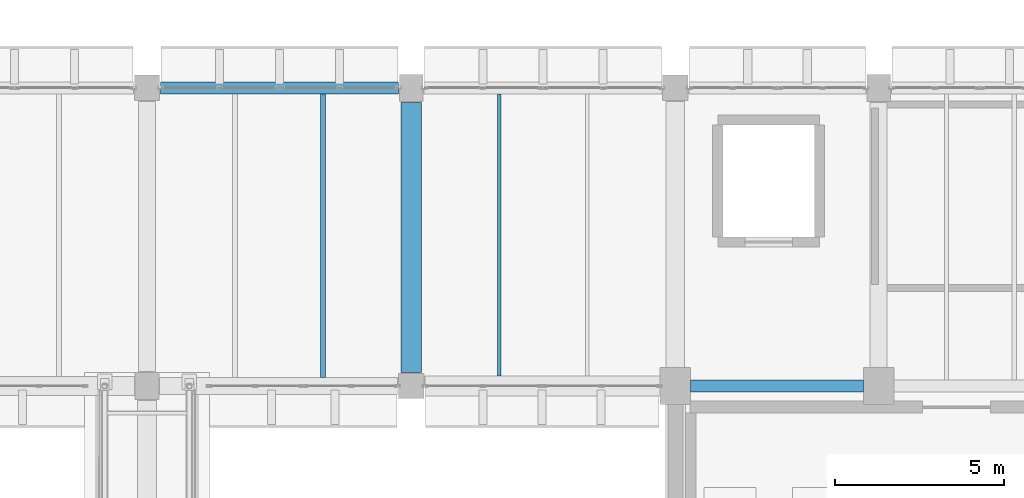
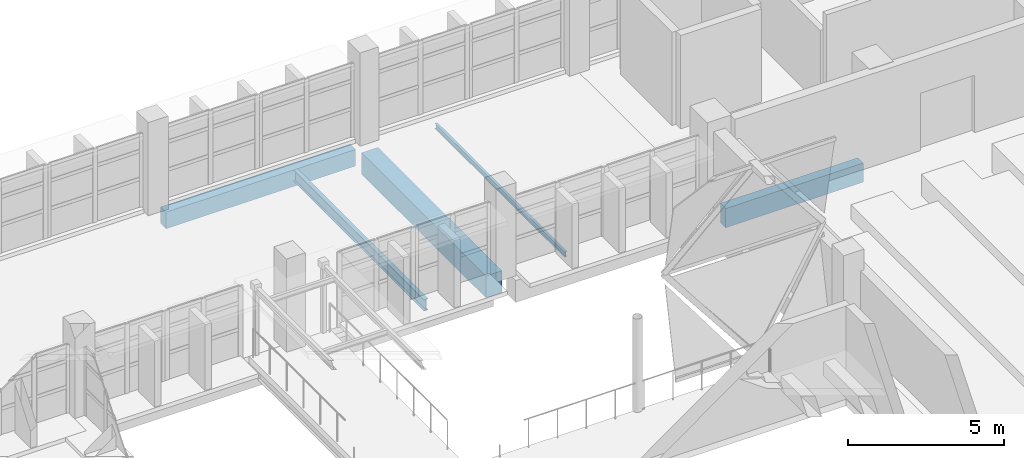
# One storey, part 31 of 80: 5 beams.
"""IFC4 building model written with IfcOpenShell, lengths in metres."""

from ifc_helpers import new_model, si_unit, direction, frame, origin, origin_2d, place, context, subcontext, project, spatial, rectangle, i_section, extrude, material, material_profile, profile_set, type_object, element, save


model = new_model("IFC4")

# Units and contexts
model_context = context("Model", 3, precision=1e-05, world=origin(), true_north=direction((0.0, 1.0)))
body_context = subcontext(model_context, "Body", "Model", "MODEL_VIEW")
ifc_project = project(units=[si_unit("LENGTHUNIT", "METRE"), si_unit("AREAUNIT", "SQUARE_METRE"), si_unit("VOLUMEUNIT", "CUBIC_METRE"), si_unit("PLANEANGLEUNIT", "RADIAN"), si_unit("MASSUNIT", "GRAM", prefix="KILO")], contexts=[model_context])

# Site, building, storey
site_placement = place(None, origin())
site = spatial("IfcSite", under=ifc_project, at=site_placement, CompositionType="ELEMENT")
building_placement = place(site_placement, origin())
building = spatial("IfcBuilding", under=site, at=building_placement, Name="Varnakota Cinema and Media Centre", CompositionType="ELEMENT")
storey_placement = place(building_placement, frame((0.0, 0.0, 4.5)))
storey = spatial("IfcBuildingStorey", under=building, at=storey_placement, Name="L01", CompositionType="ELEMENT", Elevation=4.5)

# Beams
ifc_material_1 = material(Name="Concrete M35", Category="concrete")
ifc_material_profile_1 = material_profile(ifc_material_1, rectangle(XDim=0.60009765625, YDim=0.85009765625, at=origin_2d()), Name="RCB 600x850")
ifc_profile_set_1 = profile_set([ifc_material_profile_1], Name="Concrete M35")
beam_type_1 = type_object("IfcBeamType", Name="BM-RC-600x850", PredefinedType="BEAM", material=ifc_profile_set_1)
beam_1_placement = place(storey_placement, frame((67.199951171875, 35.60009765625, -0.675048828125), z_axis=(0.0, 1.0, 0.0), x_axis=(-1.0, 0.0, 0.0)))
element("IfcBeam", 1, at=beam_1_placement, inside=storey, type_object=beam_type_1, Name="L01 girder J/5-6", PredefinedType="BEAM", context=body_context, shape_type="SweptSolid", body=[
    extrude(rectangle(XDim=0.60009765625, YDim=0.85009765625, at=origin_2d()), origin(), (0.0, 0.0, 1.0), 7.974853515625),
])
ifc_material_2 = material(Name="Concrete M40", Category="concrete")
ifc_material_profile_2 = material_profile(ifc_material_2, rectangle(XDim=0.35009765625, YDim=0.64990234375, at=origin_2d()), Name="RCB 350x650")
ifc_profile_set_2 = profile_set([ifc_material_profile_2], Name="Concrete M40")
beam_type_2 = type_object("IfcBeamType", Name="BM-SP-350x650", PredefinedType="SPANDREL", material=ifc_profile_set_2)
beam_2_placement = place(storey_placement, frame((59.800048828125, 44.0, -0.574951171875), z_axis=(1.0, 0.0, 0.0), x_axis=(0.0, 1.0, 0.0)))
element("IfcBeam", 2, at=beam_2_placement, inside=storey, type_object=beam_type_2, Name="L01 girder H-J/6", PredefinedType="SPANDREL", context=body_context, shape_type="SweptSolid", body=[
    extrude(rectangle(XDim=0.35009765625, YDim=0.64990234375, at=origin_2d()), origin(), (0.0, 0.0, 1.0), 7.02490234375),
])
ifc_material_3 = material(Name="Concrete M40", Category="concrete")
ifc_material_profile_3 = material_profile(ifc_material_3, rectangle(XDim=0.35009765625, YDim=0.75, at=origin_2d()), Name="RCB 350x750")
ifc_profile_set_3 = profile_set([ifc_material_profile_3], Name="Concrete M40")
beam_type_3 = type_object("IfcBeamType", Name="BM-SP-350x750", PredefinedType="SPANDREL", material=ifc_profile_set_3)
beam_3_placement = place(storey_placement, frame((75.449951171875, 35.199951171875, -0.625), z_axis=(1.0, 0.0, 0.0), x_axis=(0.0, 1.0, 0.0)))
element("IfcBeam", 3, at=beam_3_placement, inside=storey, type_object=beam_type_3, Name="L01 girder K-L/5", PredefinedType="SPANDREL", context=body_context, shape_type="SweptSolid", body=[
    extrude(rectangle(XDim=0.35009765625, YDim=0.75, at=origin_2d()), origin(), (0.0, 0.0, 1.0), 5.10009765625),
])
ifc_material_4 = material(Name="Structural steel Grade 350 (E350)", Category="steel")
ifc_material_profile_4 = material_profile(ifc_material_4, i_section(OverallWidth=0.10009765625, OverallDepth=0.199951171875, WebThickness=0.005615234375, FlangeThickness=0.0107421875, FilletRadius=0.010986328125, at=origin_2d()), Name="ISMB 200")
ifc_profile_set_4 = profile_set([ifc_material_profile_4], Name="Structural steel Grade 350 (E350)")
beam_type_4 = type_object("IfcBeamType", Name="BM-ST-ISMB200", PredefinedType="JOIST", material=ifc_profile_set_4)
beam_4_placement = place(storey_placement, frame((69.800048828125, 35.5, -0.35009765625), z_axis=(0.0, 1.0, 0.0), x_axis=(-1.0, 0.0, 0.0)))
element("IfcBeam", 4, at=beam_4_placement, inside=storey, type_object=beam_type_4, Name="L01 steel joist J-K/5-6 #1", PredefinedType="JOIST", context=body_context, shape_type="SweptSolid", body=[
    extrude(i_section(OverallWidth=0.10009765625, OverallDepth=0.199951171875, WebThickness=0.005615234375, FlangeThickness=0.0107421875, FilletRadius=0.010986328125, at=origin_2d()), origin(), (0.0, 0.0, 1.0), 8.324951171875),
])
ifc_material_5 = material(Name="Structural steel Grade 350 (E350)", Category="steel")
ifc_material_profile_5 = material_profile(ifc_material_5, i_section(OverallWidth=0.14990234375, OverallDepth=0.449951171875, WebThickness=0.009521484375, FlangeThickness=0.017333984375, FilletRadius=0.014892578125, at=origin_2d()), Name="ISMB 450")
ifc_profile_set_5 = profile_set([ifc_material_profile_5], Name="Structural steel Grade 350 (E350)")
beam_type_5 = type_object("IfcBeamType", Name="BM-ST-ISMB450", PredefinedType="BEAM", material=ifc_profile_set_5)
beam_5_placement = place(storey_placement, frame((64.60009765625, 35.449951171875, -0.47509765625), z_axis=(0.0, 1.0, 0.0), x_axis=(-1.0, 0.0, 0.0)))
element("IfcBeam", 5, at=beam_5_placement, inside=storey, type_object=beam_type_5, Name="L01 steel joist H-J/5-6 #2", PredefinedType="BEAM", context=body_context, shape_type="SweptSolid", body=[
    extrude(i_section(OverallWidth=0.14990234375, OverallDepth=0.449951171875, WebThickness=0.009521484375, FlangeThickness=0.017333984375, FilletRadius=0.014892578125, at=origin_2d()), origin(), (0.0, 0.0, 1.0), 8.375),
])

save(model, "model.ifc")
